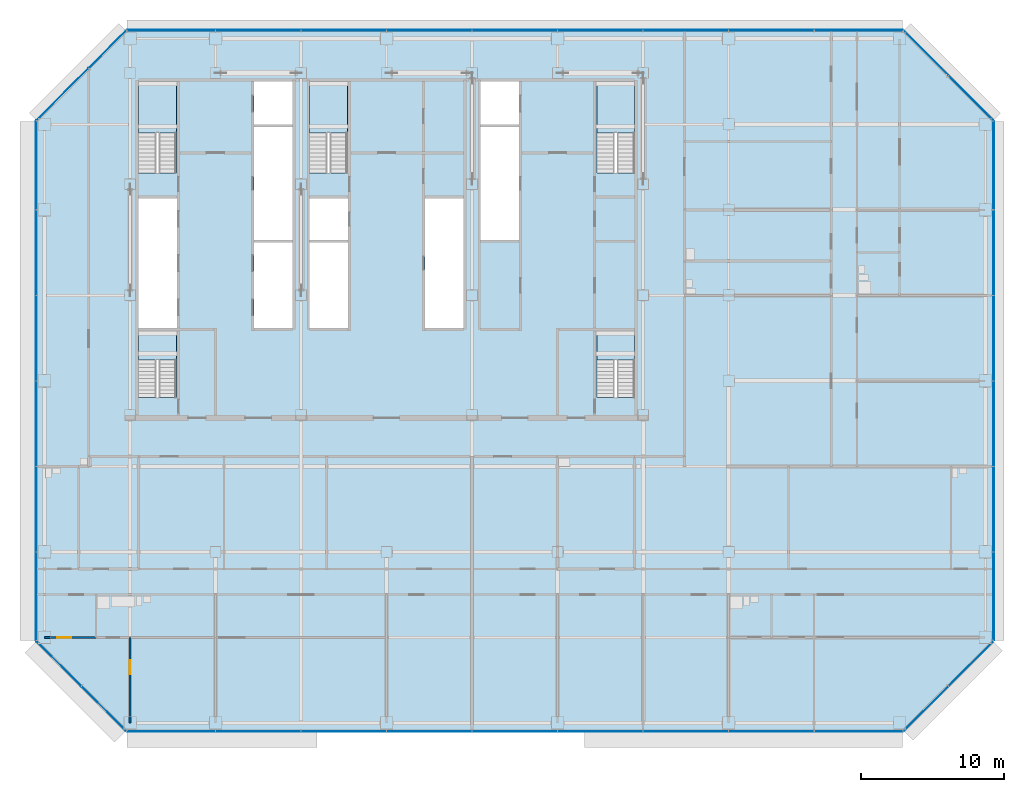
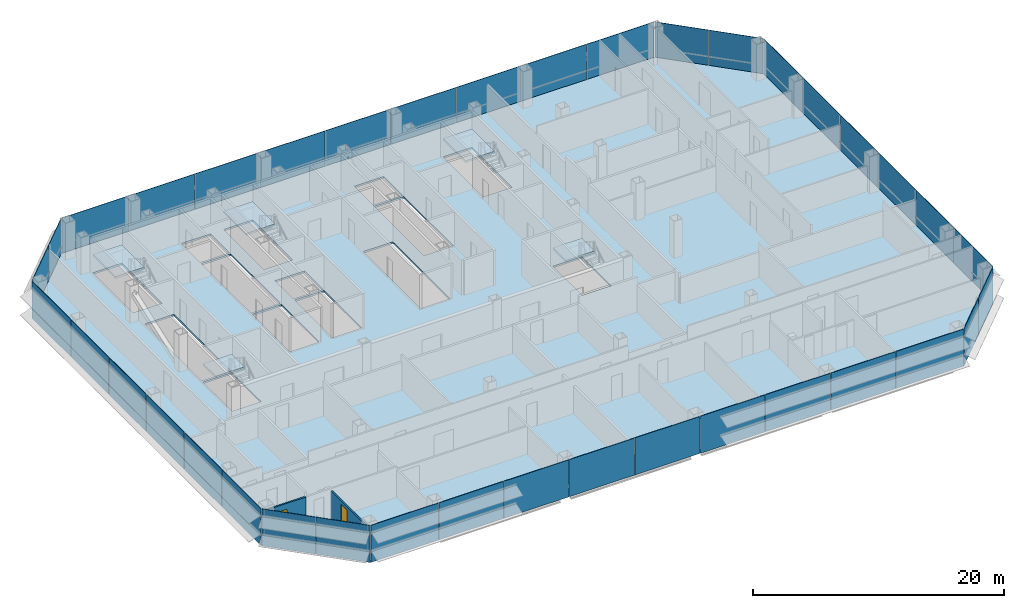
# One storey, part 19 of 27: 38 plates, 6 slabs, 2 doors, 2 walls, 2 openings, 13 elements without a shape of their own.
"""IFC4 building model written with IfcOpenShell, lengths in metres."""

from ifc_helpers import new_model, si_unit, direction, frame, frame_2d, origin, origin_2d, place, context, subcontext, project, spatial, polyline, rectangle, outline, extrude, material, layer, layer_set, type_object, element, fill, aggregate, save


model = new_model("IFC4")

# Units and contexts
model_context = context("Model", 3, precision=1e-05, world=origin(), true_north=direction((0.0, 1.0)))
body_context = subcontext(model_context, "Body", "Model", "MODEL_VIEW")
ifc_project = project(units=[si_unit("LENGTHUNIT", "METRE"), si_unit("AREAUNIT", "SQUARE_METRE"), si_unit("VOLUMEUNIT", "CUBIC_METRE"), si_unit("PLANEANGLEUNIT", "RADIAN"), si_unit("MASSUNIT", "GRAM", prefix="KILO")], contexts=[model_context])

# Site, building, storey
site_placement = place(None, origin())
site = spatial("IfcSite", under=ifc_project, at=site_placement, CompositionType="ELEMENT")
building_placement = place(site_placement, origin())
building = spatial("IfcBuilding", under=site, at=building_placement, Name="Sorahane Residences", CompositionType="ELEMENT")
storey_placement = place(building_placement, frame((0.0, 0.0, 78.60009765625)))
storey = spatial("IfcBuildingStorey", under=building, at=storey_placement, Name="L16", CompositionType="ELEMENT", Elevation=78.60009765625)

# Slab
ifc_material_1 = material(Name="Concrete C35", Category="concrete")
ifc_layer_1 = layer(ifc_material_1, 0.179931640625)
ifc_layer_set_1 = layer_set([ifc_layer_1], Name="Composite floor slab 180 mm Concrete C35")
slab_type_1 = type_object("IfcSlabType", Name="Composite floor slab 180 mm Concrete C35", PredefinedType="FLOOR", material=ifc_layer_set_1)
slab_1_placement = place(storey_placement, frame((0.0, 0.0, -0.18017578125)))
element("IfcSlab", 1, at=slab_1_placement, inside=storey, type_object=slab_type_1, Name="Slab L16", PredefinedType="FLOOR", context=body_context, shape_type="SweptSolid", body=[
    extrude(outline(polyline([(5.75146484375, -0.60009765625), (-0.60009765625, 5.75146484375), (-0.60009765625, 42.24853515625), (5.75146484375, 48.60009765625), (60.24853515625, 48.60009765625), (66.60009765625, 42.24853515625), (66.60009765625, 5.75146484375), (60.24853515625, -0.60009765625), (5.75146484375, -0.60009765625)]), holes=[polyline([(18.60009765625, 27.699951171875), (21.300048828125, 27.699951171875), (21.300048828125, 33.699951171875), (18.60009765625, 33.699951171875), (18.60009765625, 27.699951171875)]), polyline([(30.60009765625, 42.0), (33.300048828125, 42.0), (33.300048828125, 45.0), (30.60009765625, 45.0), (30.60009765625, 42.0)]), polyline([(14.699951171875, 27.699951171875), (17.39990234375, 27.699951171875), (17.39990234375, 33.699951171875), (14.699951171875, 33.699951171875), (14.699951171875, 27.699951171875)]), polyline([(14.699951171875, 42.0), (17.39990234375, 42.0), (17.39990234375, 45.0), (14.699951171875, 45.0), (14.699951171875, 42.0)]), polyline([(6.60009765625, 27.699951171875), (9.300048828125, 27.699951171875), (9.300048828125, 36.800048828125), (6.60009765625, 36.800048828125), (6.60009765625, 27.699951171875)]), polyline([(9.25, 38.60009765625), (9.25, 45.0), (6.60009765625, 45.0), (6.60009765625, 38.60009765625), (9.25, 38.60009765625)]), polyline([(41.39990234375, 38.60009765625), (41.39990234375, 45.0), (38.75, 45.0), (38.75, 38.60009765625), (41.39990234375, 38.60009765625)]), polyline([(21.25, 38.60009765625), (21.25, 45.0), (18.60009765625, 45.0), (18.60009765625, 38.60009765625), (21.25, 38.60009765625)]), polyline([(9.25, 22.85009765625), (9.25, 27.5), (6.60009765625, 27.5), (6.60009765625, 22.85009765625), (9.25, 22.85009765625)]), polyline([(41.39990234375, 22.85009765625), (41.39990234375, 27.5), (38.75, 27.5), (38.75, 22.85009765625), (41.39990234375, 22.85009765625)]), polyline([(14.699951171875, 33.89990234375), (17.39990234375, 33.89990234375), (17.39990234375, 41.800048828125), (14.699951171875, 41.800048828125), (14.699951171875, 33.89990234375)]), polyline([(30.60009765625, 33.89990234375), (33.300048828125, 33.89990234375), (33.300048828125, 41.800048828125), (30.60009765625, 41.800048828125), (30.60009765625, 33.89990234375)]), polyline([(18.60009765625, 33.89990234375), (21.300048828125, 33.89990234375), (21.300048828125, 36.800048828125), (18.60009765625, 36.800048828125), (18.60009765625, 33.89990234375)]), polyline([(26.699951171875, 27.699951171875), (29.39990234375, 27.699951171875), (29.39990234375, 36.800048828125), (26.699951171875, 36.800048828125), (26.699951171875, 27.699951171875)])]), origin(), (0.0, 0.0, 1.0), 0.18017578125),
])

# Curtain wall, plates
ifc_material_2 = material(Name="Dark low-e glass and black anodised aluminium", Category="aluminium")
curtain_wall_type_1 = type_object("IfcCurtainWallType", Name="Curtain wall CW-1 Typical unitised wall", PredefinedType="NOTDEFINED", material=ifc_material_2)
curtain_wall_1_placement = place(storey_placement, origin())
curtain_wall_1 = element("IfcCurtainWall", 2, at=curtain_wall_1_placement, inside=storey, type_object=curtain_wall_type_1, Name="CW-1 curtain wall L16 S1", PredefinedType="NOTDEFINED")
ifc_material_3 = material(Name="Dark low-e glass with black ceramic frit", Category="glass")
ifc_layer_2 = layer(ifc_material_3, 0.0400390625)
ifc_layer_set_2 = layer_set([ifc_layer_2], Name="Curtain wall glass panel dark low-e with black frit spandrel band")
plate_type = type_object("IfcPlateType", Name="Curtain wall glass panel dark low-e with black frit spandrel band", PredefinedType="CURTAIN_PANEL", material=ifc_layer_set_2)
plate_1_placement = place(storey_placement, frame((8.88818359375, -0.60009765625, -0.18017578125), z_axis=(0.0, 0.0, 1.0), x_axis=(1.0, 0.0, 0.0)))
plate_1 = element("IfcPlate", 3, at=plate_1_placement, type_object=plate_type, Name="CW-1 glass panel L16 S1.1", PredefinedType="CURTAIN_PANEL", context=body_context, shape_type="SweptSolid", body=[
    extrude(rectangle(XDim=6.173583984375, YDim=0.0400390625, at=origin_2d()), origin(), (0.0, 0.0, 1.0), 3.60009765625),
])
plate_2_placement = place(storey_placement, frame((15.0, -0.60009765625, -0.18017578125), z_axis=(0.0, 0.0, 1.0), x_axis=(1.0, 0.0, 0.0)))
plate_2 = element("IfcPlate", 4, at=plate_2_placement, type_object=plate_type, Name="CW-1 glass panel L16 S1.2", PredefinedType="CURTAIN_PANEL", context=body_context, shape_type="SweptSolid", body=[
    extrude(rectangle(XDim=5.949951171875, YDim=0.0400390625, at=origin_2d()), origin(), (0.0, 0.0, 1.0), 3.60009765625),
])
plate_3_placement = place(storey_placement, frame((21.0, -0.60009765625, -0.18017578125), z_axis=(0.0, 0.0, 1.0), x_axis=(1.0, 0.0, 0.0)))
plate_3 = element("IfcPlate", 5, at=plate_3_placement, type_object=plate_type, Name="CW-1 glass panel L16 S1.3", PredefinedType="CURTAIN_PANEL", context=body_context, shape_type="SweptSolid", body=[
    extrude(rectangle(XDim=5.949951171875, YDim=0.0400390625, at=origin_2d()), origin(), (0.0, 0.0, 1.0), 3.60009765625),
])
plate_4_placement = place(storey_placement, frame((27.0, -0.60009765625, -0.18017578125), z_axis=(0.0, 0.0, 1.0), x_axis=(1.0, 0.0, 0.0)))
plate_4 = element("IfcPlate", 6, at=plate_4_placement, type_object=plate_type, Name="CW-1 glass panel L16 S1.4", PredefinedType="CURTAIN_PANEL", context=body_context, shape_type="SweptSolid", body=[
    extrude(rectangle(XDim=5.949951171875, YDim=0.0400390625, at=origin_2d()), origin(), (0.0, 0.0, 1.0), 3.60009765625),
])
plate_5_placement = place(storey_placement, frame((33.0, -0.60009765625, -0.18017578125), z_axis=(0.0, 0.0, 1.0), x_axis=(1.0, 0.0, 0.0)))
plate_5 = element("IfcPlate", 7, at=plate_5_placement, type_object=plate_type, Name="CW-1 glass panel L16 S1.5", PredefinedType="CURTAIN_PANEL", context=body_context, shape_type="SweptSolid", body=[
    extrude(rectangle(XDim=5.949951171875, YDim=0.0400390625, at=origin_2d()), origin(), (0.0, 0.0, 1.0), 3.60009765625),
])
plate_6_placement = place(storey_placement, frame((39.0, -0.60009765625, -0.18017578125), z_axis=(0.0, 0.0, 1.0), x_axis=(1.0, 0.0, 0.0)))
plate_6 = element("IfcPlate", 8, at=plate_6_placement, type_object=plate_type, Name="CW-1 glass panel L16 S1.6", PredefinedType="CURTAIN_PANEL", context=body_context, shape_type="SweptSolid", body=[
    extrude(rectangle(XDim=5.949951171875, YDim=0.0400390625, at=origin_2d()), origin(), (0.0, 0.0, 1.0), 3.60009765625),
])
plate_7_placement = place(storey_placement, frame((45.0, -0.60009765625, -0.18017578125), z_axis=(0.0, 0.0, 1.0), x_axis=(1.0, 0.0, 0.0)))
plate_7 = element("IfcPlate", 9, at=plate_7_placement, type_object=plate_type, Name="CW-1 glass panel L16 S1.7", PredefinedType="CURTAIN_PANEL", context=body_context, shape_type="SweptSolid", body=[
    extrude(rectangle(XDim=5.949951171875, YDim=0.0400390625, at=origin_2d()), origin(), (0.0, 0.0, 1.0), 3.60009765625),
])
plate_8_placement = place(storey_placement, frame((51.0, -0.60009765625, -0.18017578125), z_axis=(0.0, 0.0, 1.0), x_axis=(1.0, 0.0, 0.0)))
plate_8 = element("IfcPlate", 10, at=plate_8_placement, type_object=plate_type, Name="CW-1 glass panel L16 S1.8", PredefinedType="CURTAIN_PANEL", context=body_context, shape_type="SweptSolid", body=[
    extrude(rectangle(XDim=5.949951171875, YDim=0.0400390625, at=origin_2d()), origin(), (0.0, 0.0, 1.0), 3.60009765625),
])
plate_9_placement = place(storey_placement, frame((57.11181640625, -0.60009765625, -0.18017578125), z_axis=(0.0, 0.0, 1.0), x_axis=(1.0, 0.0, 0.0)))
plate_9 = element("IfcPlate", 11, at=plate_9_placement, type_object=plate_type, Name="CW-1 glass panel L16 S1.9", PredefinedType="CURTAIN_PANEL", context=body_context, shape_type="SweptSolid", body=[
    extrude(rectangle(XDim=6.173583984375, YDim=0.0400390625, at=origin_2d()), origin(), (0.0, 0.0, 1.0), 3.60009765625),
])
aggregate(curtain_wall_1, [plate_1, plate_2, plate_3, plate_4, plate_5, plate_6, plate_7, plate_8, plate_9])

ifc_material_4 = material(Name="Dark low-e glass and black anodised aluminium", Category="aluminium")
curtain_wall_type_2 = type_object("IfcCurtainWallType", Name="Curtain wall CW-2 Chamfer unitised wall", PredefinedType="NOTDEFINED", material=ifc_material_4)
curtain_wall_2_placement = place(storey_placement, origin())
curtain_wall_2 = element("IfcCurtainWall", 12, at=curtain_wall_2_placement, inside=storey, type_object=curtain_wall_type_2, Name="CW-2 curtain wall L16 SE1", PredefinedType="NOTDEFINED")
plate_10_placement = place(storey_placement, frame((61.84521484375, 0.996826171875, -0.18017578125), z_axis=(0.0, 0.0, 1.0), x_axis=(0.707106781187, 0.707106781187, 0.0)))
plate_10 = element("IfcPlate", 13, at=plate_10_placement, type_object=plate_type, Name="CW-2 glass panel L16 SE1.1", PredefinedType="CURTAIN_PANEL", context=body_context, shape_type="SweptSolid", body=[
    extrude(rectangle(XDim=4.416259765625, YDim=0.0400390625, at=origin_2d()), origin(), (0.0, 0.0, 1.0), 3.60009765625),
])
plate_11_placement = place(storey_placement, frame((65.003173828125, 4.15478515625, -0.18017578125), z_axis=(0.0, 0.0, 1.0), x_axis=(0.707106781187, 0.707106781187, 0.0)))
plate_11 = element("IfcPlate", 14, at=plate_11_placement, type_object=plate_type, Name="CW-2 glass panel L16 SE1.2", PredefinedType="CURTAIN_PANEL", context=body_context, shape_type="SweptSolid", body=[
    extrude(rectangle(XDim=4.416259765625, YDim=0.0400390625, at=origin_2d()), origin(), (0.0, 0.0, 1.0), 3.60009765625),
])
aggregate(curtain_wall_2, [plate_10, plate_11])

curtain_wall_3_placement = place(storey_placement, origin())
curtain_wall_3 = element("IfcCurtainWall", 15, at=curtain_wall_3_placement, inside=storey, type_object=curtain_wall_type_1, Name="CW-1 curtain wall L16 E1", PredefinedType="NOTDEFINED")
plate_12_placement = place(storey_placement, frame((66.60009765625, 8.88818359375, -0.18017578125), z_axis=(0.0, 0.0, 1.0), x_axis=(0.0, 1.0, 0.0)))
plate_12 = element("IfcPlate", 16, at=plate_12_placement, type_object=plate_type, Name="CW-1 glass panel L16 E1.1", PredefinedType="CURTAIN_PANEL", context=body_context, shape_type="SweptSolid", body=[
    extrude(rectangle(XDim=6.173583984375, YDim=0.0400390625, at=origin_2d()), origin(), (0.0, 0.0, 1.0), 3.60009765625),
])
plate_13_placement = place(storey_placement, frame((66.60009765625, 15.0, -0.18017578125), z_axis=(0.0, 0.0, 1.0), x_axis=(0.0, 1.0, 0.0)))
plate_13 = element("IfcPlate", 17, at=plate_13_placement, type_object=plate_type, Name="CW-1 glass panel L16 E1.2", PredefinedType="CURTAIN_PANEL", context=body_context, shape_type="SweptSolid", body=[
    extrude(rectangle(XDim=5.949951171875, YDim=0.0400390625, at=origin_2d()), origin(), (0.0, 0.0, 1.0), 3.60009765625),
])
plate_14_placement = place(storey_placement, frame((66.60009765625, 21.0, -0.18017578125), z_axis=(0.0, 0.0, 1.0), x_axis=(0.0, 1.0, 0.0)))
plate_14 = element("IfcPlate", 18, at=plate_14_placement, type_object=plate_type, Name="CW-1 glass panel L16 E1.3", PredefinedType="CURTAIN_PANEL", context=body_context, shape_type="SweptSolid", body=[
    extrude(rectangle(XDim=5.949951171875, YDim=0.0400390625, at=origin_2d()), origin(), (0.0, 0.0, 1.0), 3.60009765625),
])
plate_15_placement = place(storey_placement, frame((66.60009765625, 27.0, -0.18017578125), z_axis=(0.0, 0.0, 1.0), x_axis=(0.0, 1.0, 0.0)))
plate_15 = element("IfcPlate", 19, at=plate_15_placement, type_object=plate_type, Name="CW-1 glass panel L16 E1.4", PredefinedType="CURTAIN_PANEL", context=body_context, shape_type="SweptSolid", body=[
    extrude(rectangle(XDim=5.949951171875, YDim=0.0400390625, at=origin_2d()), origin(), (0.0, 0.0, 1.0), 3.60009765625),
])
plate_16_placement = place(storey_placement, frame((66.60009765625, 33.0, -0.18017578125), z_axis=(0.0, 0.0, 1.0), x_axis=(0.0, 1.0, 0.0)))
plate_16 = element("IfcPlate", 20, at=plate_16_placement, type_object=plate_type, Name="CW-1 glass panel L16 E1.5", PredefinedType="CURTAIN_PANEL", context=body_context, shape_type="SweptSolid", body=[
    extrude(rectangle(XDim=5.949951171875, YDim=0.0400390625, at=origin_2d()), origin(), (0.0, 0.0, 1.0), 3.60009765625),
])
plate_17_placement = place(storey_placement, frame((66.60009765625, 39.11181640625, -0.18017578125), z_axis=(0.0, 0.0, 1.0), x_axis=(0.0, 1.0, 0.0)))
plate_17 = element("IfcPlate", 21, at=plate_17_placement, type_object=plate_type, Name="CW-1 glass panel L16 E1.6", PredefinedType="CURTAIN_PANEL", context=body_context, shape_type="SweptSolid", body=[
    extrude(rectangle(XDim=6.173583984375, YDim=0.0400390625, at=origin_2d()), origin(), (0.0, 0.0, 1.0), 3.60009765625),
])
aggregate(curtain_wall_3, [plate_12, plate_13, plate_14, plate_15, plate_16, plate_17])

curtain_wall_4_placement = place(storey_placement, origin())
curtain_wall_4 = element("IfcCurtainWall", 22, at=curtain_wall_4_placement, inside=storey, type_object=curtain_wall_type_2, Name="CW-2 curtain wall L16 NE1", PredefinedType="NOTDEFINED")
plate_18_placement = place(storey_placement, frame((65.003173828125, 43.84521484375, -0.18017578125), z_axis=(0.0, 0.0, 1.0), x_axis=(-0.707106781187, 0.707106781187, 0.0)))
plate_18 = element("IfcPlate", 23, at=plate_18_placement, type_object=plate_type, Name="CW-2 glass panel L16 NE1.1", PredefinedType="CURTAIN_PANEL", context=body_context, shape_type="SweptSolid", body=[
    extrude(rectangle(XDim=4.416259765625, YDim=0.0400390625, at=origin_2d()), origin(), (0.0, 0.0, 1.0), 3.60009765625),
])
plate_19_placement = place(storey_placement, frame((61.84521484375, 47.003173828125, -0.18017578125), z_axis=(0.0, 0.0, 1.0), x_axis=(-0.707106781187, 0.707106781187, 0.0)))
plate_19 = element("IfcPlate", 24, at=plate_19_placement, type_object=plate_type, Name="CW-2 glass panel L16 NE1.2", PredefinedType="CURTAIN_PANEL", context=body_context, shape_type="SweptSolid", body=[
    extrude(rectangle(XDim=4.416259765625, YDim=0.0400390625, at=origin_2d()), origin(), (0.0, 0.0, 1.0), 3.60009765625),
])
aggregate(curtain_wall_4, [plate_18, plate_19])

curtain_wall_5_placement = place(storey_placement, origin())
curtain_wall_5 = element("IfcCurtainWall", 25, at=curtain_wall_5_placement, inside=storey, type_object=curtain_wall_type_1, Name="CW-1 curtain wall L16 N1", PredefinedType="NOTDEFINED")
plate_20_placement = place(storey_placement, frame((57.11181640625, 48.60009765625, -0.18017578125), z_axis=(0.0, 0.0, 1.0), x_axis=(-1.0, 0.0, 0.0)))
plate_20 = element("IfcPlate", 26, at=plate_20_placement, type_object=plate_type, Name="CW-1 glass panel L16 N1.1", PredefinedType="CURTAIN_PANEL", context=body_context, shape_type="SweptSolid", body=[
    extrude(rectangle(XDim=6.173583984375, YDim=0.0400390625, at=origin_2d()), origin(), (0.0, 0.0, 1.0), 3.60009765625),
])
plate_21_placement = place(storey_placement, frame((51.0, 48.60009765625, -0.18017578125), z_axis=(0.0, 0.0, 1.0), x_axis=(-1.0, 0.0, 0.0)))
plate_21 = element("IfcPlate", 27, at=plate_21_placement, type_object=plate_type, Name="CW-1 glass panel L16 N1.2", PredefinedType="CURTAIN_PANEL", context=body_context, shape_type="SweptSolid", body=[
    extrude(rectangle(XDim=5.949951171875, YDim=0.0400390625, at=origin_2d()), origin(), (0.0, 0.0, 1.0), 3.60009765625),
])
plate_22_placement = place(storey_placement, frame((45.0, 48.60009765625, -0.18017578125), z_axis=(0.0, 0.0, 1.0), x_axis=(-1.0, 0.0, 0.0)))
plate_22 = element("IfcPlate", 28, at=plate_22_placement, type_object=plate_type, Name="CW-1 glass panel L16 N1.3", PredefinedType="CURTAIN_PANEL", context=body_context, shape_type="SweptSolid", body=[
    extrude(rectangle(XDim=5.949951171875, YDim=0.0400390625, at=origin_2d()), origin(), (0.0, 0.0, 1.0), 3.60009765625),
])
plate_23_placement = place(storey_placement, frame((39.0, 48.60009765625, -0.18017578125), z_axis=(0.0, 0.0, 1.0), x_axis=(-1.0, 0.0, 0.0)))
plate_23 = element("IfcPlate", 29, at=plate_23_placement, type_object=plate_type, Name="CW-1 glass panel L16 N1.4", PredefinedType="CURTAIN_PANEL", context=body_context, shape_type="SweptSolid", body=[
    extrude(rectangle(XDim=5.949951171875, YDim=0.0400390625, at=origin_2d()), origin(), (0.0, 0.0, 1.0), 3.60009765625),
])
plate_24_placement = place(storey_placement, frame((33.0, 48.60009765625, -0.18017578125), z_axis=(0.0, 0.0, 1.0), x_axis=(-1.0, 0.0, 0.0)))
plate_24 = element("IfcPlate", 30, at=plate_24_placement, type_object=plate_type, Name="CW-1 glass panel L16 N1.5", PredefinedType="CURTAIN_PANEL", context=body_context, shape_type="SweptSolid", body=[
    extrude(rectangle(XDim=5.949951171875, YDim=0.0400390625, at=origin_2d()), origin(), (0.0, 0.0, 1.0), 3.60009765625),
])
plate_25_placement = place(storey_placement, frame((27.0, 48.60009765625, -0.18017578125), z_axis=(0.0, 0.0, 1.0), x_axis=(-1.0, 0.0, 0.0)))
plate_25 = element("IfcPlate", 31, at=plate_25_placement, type_object=plate_type, Name="CW-1 glass panel L16 N1.6", PredefinedType="CURTAIN_PANEL", context=body_context, shape_type="SweptSolid", body=[
    extrude(rectangle(XDim=5.949951171875, YDim=0.0400390625, at=origin_2d()), origin(), (0.0, 0.0, 1.0), 3.60009765625),
])
plate_26_placement = place(storey_placement, frame((21.0, 48.60009765625, -0.18017578125), z_axis=(0.0, 0.0, 1.0), x_axis=(-1.0, 0.0, 0.0)))
plate_26 = element("IfcPlate", 32, at=plate_26_placement, type_object=plate_type, Name="CW-1 glass panel L16 N1.7", PredefinedType="CURTAIN_PANEL", context=body_context, shape_type="SweptSolid", body=[
    extrude(rectangle(XDim=5.949951171875, YDim=0.0400390625, at=origin_2d()), origin(), (0.0, 0.0, 1.0), 3.60009765625),
])
plate_27_placement = place(storey_placement, frame((15.0, 48.60009765625, -0.18017578125), z_axis=(0.0, 0.0, 1.0), x_axis=(-1.0, 0.0, 0.0)))
plate_27 = element("IfcPlate", 33, at=plate_27_placement, type_object=plate_type, Name="CW-1 glass panel L16 N1.8", PredefinedType="CURTAIN_PANEL", context=body_context, shape_type="SweptSolid", body=[
    extrude(rectangle(XDim=5.949951171875, YDim=0.0400390625, at=origin_2d()), origin(), (0.0, 0.0, 1.0), 3.60009765625),
])
plate_28_placement = place(storey_placement, frame((8.88818359375, 48.60009765625, -0.18017578125), z_axis=(0.0, 0.0, 1.0), x_axis=(-1.0, 0.0, 0.0)))
plate_28 = element("IfcPlate", 34, at=plate_28_placement, type_object=plate_type, Name="CW-1 glass panel L16 N1.9", PredefinedType="CURTAIN_PANEL", context=body_context, shape_type="SweptSolid", body=[
    extrude(rectangle(XDim=6.173583984375, YDim=0.0400390625, at=origin_2d()), origin(), (0.0, 0.0, 1.0), 3.60009765625),
])
aggregate(curtain_wall_5, [plate_20, plate_21, plate_22, plate_23, plate_24, plate_25, plate_26, plate_27, plate_28])

curtain_wall_6_placement = place(storey_placement, origin())
curtain_wall_6 = element("IfcCurtainWall", 35, at=curtain_wall_6_placement, inside=storey, type_object=curtain_wall_type_2, Name="CW-2 curtain wall L16 NW1", PredefinedType="NOTDEFINED")
plate_29_placement = place(storey_placement, frame((4.4169921875, 47.265625, -0.18017578125), z_axis=(0.0, 0.0, 1.0), x_axis=(-0.707106781187, -0.707106781187, 0.0)))
plate_29 = element("IfcPlate", 36, at=plate_29_placement, type_object=plate_type, Name="CW-2 glass panel L16 NW1.1", PredefinedType="CURTAIN_PANEL", context=body_context, shape_type="SweptSolid", body=[
    extrude(rectangle(XDim=3.67431640625, YDim=0.0400390625, at=origin_2d()), origin(), (0.0, 0.0, 1.0), 3.60009765625),
])
plate_30_placement = place(storey_placement, frame((1.259033203125, 44.107421875, -0.18017578125), z_axis=(0.0, 0.0, 1.0), x_axis=(-0.707106781187, -0.707106781187, 0.0)))
plate_30 = element("IfcPlate", 37, at=plate_30_placement, type_object=plate_type, Name="CW-2 glass panel L16 NW1.2", PredefinedType="CURTAIN_PANEL", context=body_context, shape_type="SweptSolid", body=[
    extrude(rectangle(XDim=5.157958984375, YDim=0.0400390625, at=origin_2d()), origin(), (0.0, 0.0, 1.0), 3.60009765625),
])
aggregate(curtain_wall_6, [plate_29, plate_30])

curtain_wall_7_placement = place(storey_placement, origin())
curtain_wall_7 = element("IfcCurtainWall", 38, at=curtain_wall_7_placement, inside=storey, type_object=curtain_wall_type_1, Name="CW-1 curtain wall L16 W1", PredefinedType="NOTDEFINED")
plate_31_placement = place(storey_placement, frame((-0.60009765625, 39.11181640625, -0.18017578125), z_axis=(0.0, 0.0, 1.0), x_axis=(0.0, -1.0, 0.0)))
plate_31 = element("IfcPlate", 39, at=plate_31_placement, type_object=plate_type, Name="CW-1 glass panel L16 W1.1", PredefinedType="CURTAIN_PANEL", context=body_context, shape_type="SweptSolid", body=[
    extrude(rectangle(XDim=6.173583984375, YDim=0.0400390625, at=origin_2d()), origin(), (0.0, 0.0, 1.0), 3.60009765625),
])
plate_32_placement = place(storey_placement, frame((-0.60009765625, 33.0, -0.18017578125), z_axis=(0.0, 0.0, 1.0), x_axis=(0.0, -1.0, 0.0)))
plate_32 = element("IfcPlate", 40, at=plate_32_placement, type_object=plate_type, Name="CW-1 glass panel L16 W1.2", PredefinedType="CURTAIN_PANEL", context=body_context, shape_type="SweptSolid", body=[
    extrude(rectangle(XDim=5.949951171875, YDim=0.0400390625, at=origin_2d()), origin(), (0.0, 0.0, 1.0), 3.60009765625),
])
plate_33_placement = place(storey_placement, frame((-0.60009765625, 27.0, -0.18017578125), z_axis=(0.0, 0.0, 1.0), x_axis=(0.0, -1.0, 0.0)))
plate_33 = element("IfcPlate", 41, at=plate_33_placement, type_object=plate_type, Name="CW-1 glass panel L16 W1.3", PredefinedType="CURTAIN_PANEL", context=body_context, shape_type="SweptSolid", body=[
    extrude(rectangle(XDim=5.949951171875, YDim=0.0400390625, at=origin_2d()), origin(), (0.0, 0.0, 1.0), 3.60009765625),
])
plate_34_placement = place(storey_placement, frame((-0.60009765625, 21.0, -0.18017578125), z_axis=(0.0, 0.0, 1.0), x_axis=(0.0, -1.0, 0.0)))
plate_34 = element("IfcPlate", 42, at=plate_34_placement, type_object=plate_type, Name="CW-1 glass panel L16 W1.4", PredefinedType="CURTAIN_PANEL", context=body_context, shape_type="SweptSolid", body=[
    extrude(rectangle(XDim=5.949951171875, YDim=0.0400390625, at=origin_2d()), origin(), (0.0, 0.0, 1.0), 3.60009765625),
])
plate_35_placement = place(storey_placement, frame((-0.60009765625, 15.0, -0.18017578125), z_axis=(0.0, 0.0, 1.0), x_axis=(0.0, -1.0, 0.0)))
plate_35 = element("IfcPlate", 43, at=plate_35_placement, type_object=plate_type, Name="CW-1 glass panel L16 W1.5", PredefinedType="CURTAIN_PANEL", context=body_context, shape_type="SweptSolid", body=[
    extrude(rectangle(XDim=5.949951171875, YDim=0.0400390625, at=origin_2d()), origin(), (0.0, 0.0, 1.0), 3.60009765625),
])
plate_36_placement = place(storey_placement, frame((-0.60009765625, 8.88818359375, -0.18017578125), z_axis=(0.0, 0.0, 1.0), x_axis=(0.0, -1.0, 0.0)))
plate_36 = element("IfcPlate", 44, at=plate_36_placement, type_object=plate_type, Name="CW-1 glass panel L16 W1.6", PredefinedType="CURTAIN_PANEL", context=body_context, shape_type="SweptSolid", body=[
    extrude(rectangle(XDim=6.173583984375, YDim=0.0400390625, at=origin_2d()), origin(), (0.0, 0.0, 1.0), 3.60009765625),
])
aggregate(curtain_wall_7, [plate_31, plate_32, plate_33, plate_34, plate_35, plate_36])

curtain_wall_8_placement = place(storey_placement, origin())
curtain_wall_8 = element("IfcCurtainWall", 45, at=curtain_wall_8_placement, inside=storey, type_object=curtain_wall_type_2, Name="CW-2 curtain wall L16 SW1", PredefinedType="NOTDEFINED")
plate_37_placement = place(storey_placement, frame((0.996826171875, 4.15478515625, -0.18017578125), z_axis=(0.0, 0.0, 1.0), x_axis=(0.707106781187, -0.707106781187, 0.0)))
plate_37 = element("IfcPlate", 46, at=plate_37_placement, type_object=plate_type, Name="CW-2 glass panel L16 SW1.1", PredefinedType="CURTAIN_PANEL", context=body_context, shape_type="SweptSolid", body=[
    extrude(rectangle(XDim=4.416259765625, YDim=0.0400390625, at=origin_2d()), origin(), (0.0, 0.0, 1.0), 3.60009765625),
])
plate_38_placement = place(storey_placement, frame((4.15478515625, 0.996826171875, -0.18017578125), z_axis=(0.0, 0.0, 1.0), x_axis=(0.707106781187, -0.707106781187, 0.0)))
plate_38 = element("IfcPlate", 47, at=plate_38_placement, type_object=plate_type, Name="CW-2 glass panel L16 SW1.2", PredefinedType="CURTAIN_PANEL", context=body_context, shape_type="SweptSolid", body=[
    extrude(rectangle(XDim=4.416259765625, YDim=0.0400390625, at=origin_2d()), origin(), (0.0, 0.0, 1.0), 3.60009765625),
])
aggregate(curtain_wall_8, [plate_37, plate_38])

# Stair, slab
ifc_material_5 = material(Name="Concrete C40", Category="concrete")
stair_type = type_object("IfcStairType", Name="Dog-leg stair 1250 Concrete C40", PredefinedType="HALF_TURN_STAIR", material=ifc_material_5)
stair_1_placement = place(storey_placement, origin())
stair_1 = element("IfcStair", 48, at=stair_1_placement, inside=storey, type_object=stair_type, Name="L16 Stair S1", PredefinedType="HALF_TURN_STAIR")
ifc_material_6 = material(Name="Concrete C40", Category="concrete")
ifc_layer_3 = layer(ifc_material_6, 0.199951171875)
ifc_layer_set_3 = layer_set([ifc_layer_3], Name="Stair landing 200 Concrete C40")
slab_type_2 = type_object("IfcSlabType", Name="Stair landing 200 Concrete C40", PredefinedType="LANDING", material=ifc_layer_set_3)
slab_2_placement = place(storey_placement, frame((0.0, 0.0, 1.599853515625)))
slab_2 = element("IfcSlab", 49, at=slab_2_placement, type_object=slab_type_2, Name="S1 landing 1", PredefinedType="LANDING", context=body_context, shape_type="SweptSolid", body=[
    extrude(outline(polyline([(9.25, 41.39990234375), (9.25, 45.0), (6.60009765625, 45.0), (6.60009765625, 41.39990234375), (9.25, 41.39990234375)])), origin(), (0.0, 0.0, 1.0), 0.199951171875),
])
aggregate(stair_1, [slab_2])

stair_2_placement = place(storey_placement, origin())
stair_2 = element("IfcStair", 50, at=stair_2_placement, inside=storey, type_object=stair_type, Name="L16 Stair S2", PredefinedType="HALF_TURN_STAIR")
slab_3_placement = place(storey_placement, frame((0.0, 0.0, 1.599853515625)))
slab_3 = element("IfcSlab", 51, at=slab_3_placement, type_object=slab_type_2, Name="S2 landing 1", PredefinedType="LANDING", context=body_context, shape_type="SweptSolid", body=[
    extrude(outline(polyline([(41.39990234375, 41.39990234375), (41.39990234375, 45.0), (38.75, 45.0), (38.75, 41.39990234375), (41.39990234375, 41.39990234375)])), origin(), (0.0, 0.0, 1.0), 0.199951171875),
])
aggregate(stair_2, [slab_3])

stair_3_placement = place(storey_placement, origin())
stair_3 = element("IfcStair", 52, at=stair_3_placement, inside=storey, type_object=stair_type, Name="L16 Stair S3", PredefinedType="HALF_TURN_STAIR")
slab_4_placement = place(storey_placement, frame((0.0, 0.0, 1.599853515625)))
slab_4 = element("IfcSlab", 53, at=slab_4_placement, type_object=slab_type_2, Name="S3 landing 1", PredefinedType="LANDING", context=body_context, shape_type="SweptSolid", body=[
    extrude(outline(polyline([(21.25, 41.39990234375), (21.25, 45.0), (18.60009765625, 45.0), (18.60009765625, 41.39990234375), (21.25, 41.39990234375)])), origin(), (0.0, 0.0, 1.0), 0.199951171875),
])
aggregate(stair_3, [slab_4])

stair_4_placement = place(storey_placement, origin())
stair_4 = element("IfcStair", 54, at=stair_4_placement, inside=storey, type_object=stair_type, Name="L16 Stair S4", PredefinedType="HALF_TURN_STAIR")
slab_5_placement = place(storey_placement, frame((0.0, 0.0, 1.599853515625)))
slab_5 = element("IfcSlab", 55, at=slab_5_placement, type_object=slab_type_2, Name="S4 landing 1", PredefinedType="LANDING", context=body_context, shape_type="SweptSolid", body=[
    extrude(outline(polyline([(9.25, 25.449951171875), (9.25, 27.5), (6.60009765625, 27.5), (6.60009765625, 25.449951171875), (9.25, 25.449951171875)])), origin(), (0.0, 0.0, 1.0), 0.199951171875),
])
aggregate(stair_4, [slab_5])

stair_5_placement = place(storey_placement, origin())
stair_5 = element("IfcStair", 56, at=stair_5_placement, inside=storey, type_object=stair_type, Name="L16 Stair S5", PredefinedType="HALF_TURN_STAIR")
slab_6_placement = place(storey_placement, frame((0.0, 0.0, 1.599853515625)))
slab_6 = element("IfcSlab", 57, at=slab_6_placement, type_object=slab_type_2, Name="S5 landing 1", PredefinedType="LANDING", context=body_context, shape_type="SweptSolid", body=[
    extrude(outline(polyline([(41.39990234375, 25.449951171875), (41.39990234375, 27.5), (38.75, 27.5), (38.75, 25.449951171875), (41.39990234375, 25.449951171875)])), origin(), (0.0, 0.0, 1.0), 0.199951171875),
])
aggregate(stair_5, [slab_6])

# Wall, opening, door
ifc_material_7 = material(Name="Gypsum board partition on steel studs", Category="steel")
ifc_layer_4 = layer(ifc_material_7, 0.14990234375)
ifc_layer_set_4 = layer_set([ifc_layer_4], Name="Partition 150 EI 90")
wall_type = type_object("IfcWallType", Name="Partition 150 EI 90", PredefinedType="PARTITIONING", material=ifc_layer_set_4)
wall_1_placement = place(storey_placement, frame((6.0, 0.0, 0.0), z_axis=(0.0, 0.0, 1.0), x_axis=(0.0, 1.0, 0.0)))
wall_1 = element("IfcWall", 58, at=wall_1_placement, inside=storey, type_object=wall_type, Name="L16 partition", PredefinedType="PARTITIONING", context=body_context, shape_type="SweptSolid", body=[
    extrude(rectangle(XDim=6.0, YDim=0.14990234375, at=frame_2d((3.0, 0.0))), origin(), (0.0, 0.0, 1.0), 2.719970703125),
])
opening_1_placement = place(wall_1_placement, frame((3.39990234375, 0.0, 0.0)))
opening_1 = element("IfcOpeningElement", 59, at=opening_1_placement, cuts=wall_1, Name="Opening L16-10", PredefinedType="OPENING", context=body_context, shape_type="SweptSolid", body=[
    extrude(rectangle(XDim=1.0, YDim=2.39990234375, at=frame_2d((0.5, 1.199951171875))), frame((0.0, 0.0849609375, 0.0), z_axis=(0.0, -1.0, 0.0), x_axis=(1.0, 0.0, 0.0)), (0.0, 0.0, 1.0), 0.169921875),
])
ifc_material_8 = material(Name="Timber veneered fire door", Category="wood")
door_type = type_object("IfcDoorType", Name="Room door 1000x2400 FD30", OperationType="NOTDEFINED", PredefinedType="DOOR", material=ifc_material_8)
door_1_placement = place(opening_1_placement, frame((1.0, 0.0, 0.0), z_axis=(0.0, 0.0, 1.0), x_axis=(-1.0, 0.0, 0.0)))
door_1 = element("IfcDoor", 60, at=door_1_placement, inside=storey, type_object=door_type, Name="Room door L16-10", OperationType="SINGLE_SWING_LEFT", OverallHeight=2.39990234375, OverallWidth=1.0, PredefinedType="DOOR", context=body_context, shape_type="SweptSolid", body=[
    extrude(rectangle(XDim=1.0, YDim=2.39990234375, at=frame_2d((0.5, 1.199951171875))), frame((0.0, 0.02490234375, 0.0), z_axis=(0.0, -1.0, 0.0), x_axis=(1.0, 0.0, 0.0)), (0.0, 0.0, 1.0), 0.050048828125),
])
fill(opening_1, door_1)

wall_2_placement = place(storey_placement, frame((0.0, 6.0, 0.0), z_axis=(0.0, 0.0, 1.0), x_axis=(1.0, 0.0, 0.0)))
wall_2 = element("IfcWall", 61, at=wall_2_placement, inside=storey, type_object=wall_type, Name="L16 partition", PredefinedType="PARTITIONING", context=body_context, shape_type="SweptSolid", body=[
    extrude(rectangle(XDim=3.60009765625, YDim=0.14990234375, at=frame_2d((1.800048828125, 0.0))), origin(), (0.0, 0.0, 1.0), 2.969970703125),
])
opening_2_placement = place(wall_2_placement, frame((0.8798828125, 0.0, 0.0)))
opening_2 = element("IfcOpeningElement", 62, at=opening_2_placement, cuts=wall_2, Name="Opening L16-09", PredefinedType="OPENING", context=body_context, shape_type="SweptSolid", body=[
    extrude(rectangle(XDim=1.0, YDim=2.39990234375, at=frame_2d((0.5, 1.199951171875))), frame((0.0, 0.0849609375, 0.0), z_axis=(0.0, -1.0, 0.0), x_axis=(1.0, 0.0, 0.0)), (0.0, 0.0, 1.0), 0.169921875),
])
door_2_placement = place(opening_2_placement, frame((1.0, 0.0, 0.0), z_axis=(0.0, 0.0, 1.0), x_axis=(-1.0, 0.0, 0.0)))
door_2 = element("IfcDoor", 63, at=door_2_placement, inside=storey, type_object=door_type, Name="Room door L16-09", OperationType="SINGLE_SWING_RIGHT", OverallHeight=2.39990234375, OverallWidth=1.0, PredefinedType="DOOR", context=body_context, shape_type="SweptSolid", body=[
    extrude(rectangle(XDim=1.0, YDim=2.39990234375, at=frame_2d((0.5, 1.199951171875))), frame((0.0, 0.02490234375, 0.0), z_axis=(0.0, -1.0, 0.0), x_axis=(1.0, 0.0, 0.0)), (0.0, 0.0, 1.0), 0.050048828125),
])
fill(opening_2, door_2)

save(model, "model.ifc")
